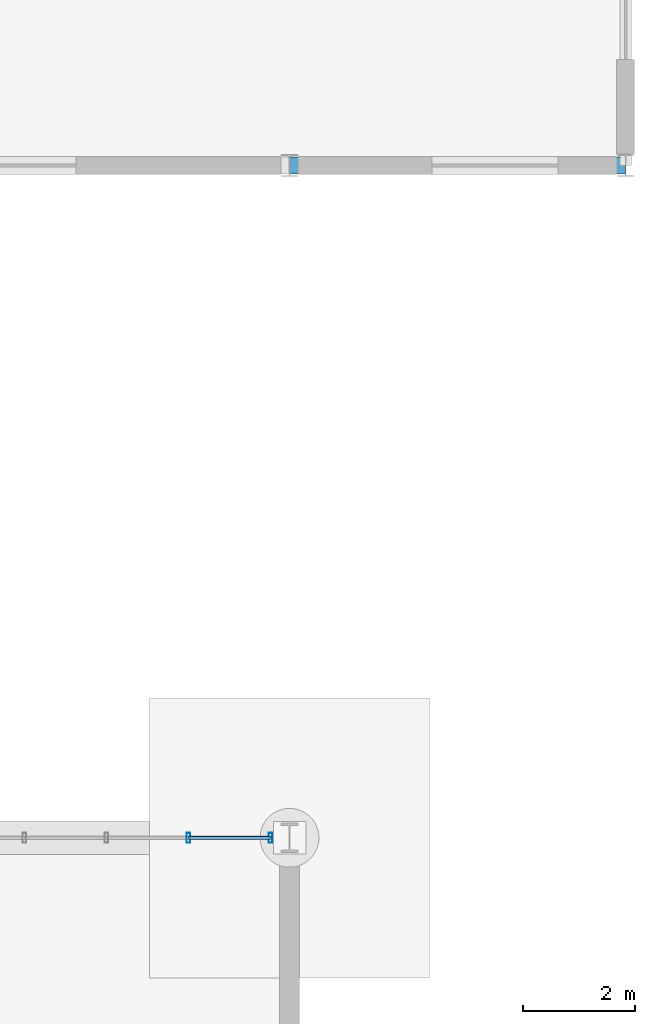
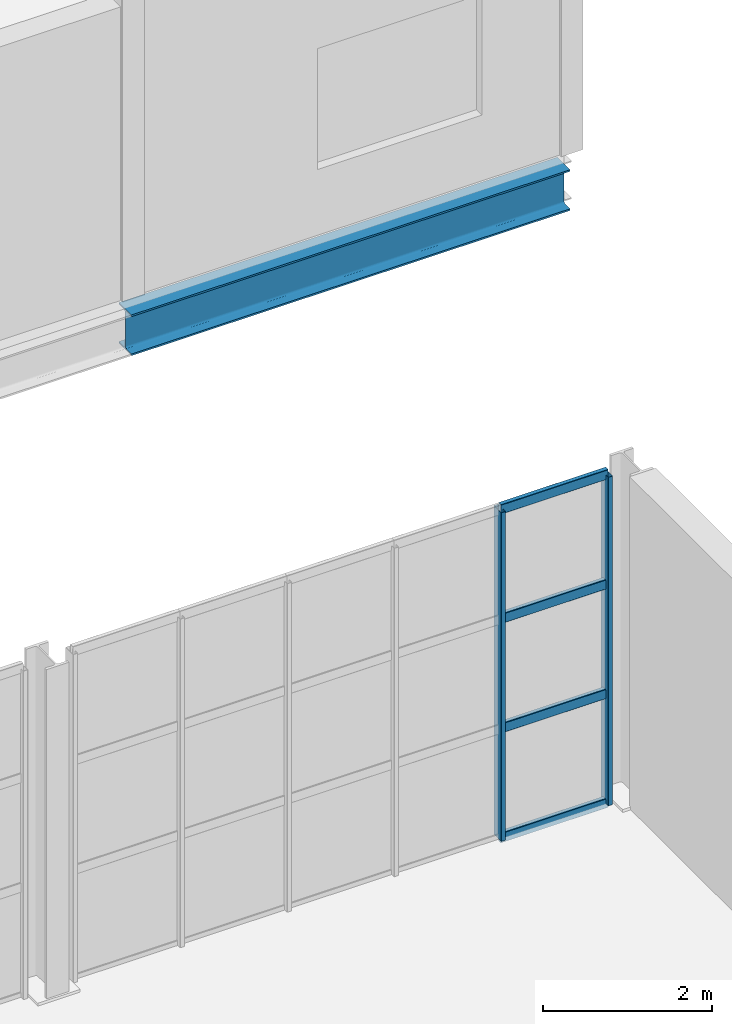
# One storey, part 61 of 101: 6 members, 1 beam, 1 element without a shape of its own.
"""IFC4 building model written with IfcOpenShell, lengths in metres."""

from ifc_helpers import new_model, si_unit, derived_unit, direction, frame, origin, origin_2d, place, context, subcontext, project, spatial, hollow_rectangle, i_section, extrude, material, material_profile, profile_set, type_object, element, aggregate, save


model = new_model("IFC4")

# Units and contexts
model_context = context("Model", 3, precision=1e-05, world=origin(), true_north=direction((0.0, 1.0)))
body_context = subcontext(model_context, "Body", "Model", "MODEL_VIEW")
ifc_project = project(units=[si_unit("LENGTHUNIT", "METRE"), si_unit("AREAUNIT", "SQUARE_METRE"), si_unit("VOLUMEUNIT", "CUBIC_METRE"), si_unit("PLANEANGLEUNIT", "RADIAN"), si_unit("MASSUNIT", "GRAM", prefix="KILO"), derived_unit("THERMALTRANSMITTANCEUNIT", [(si_unit("POWERUNIT", "WATT"), 1), (si_unit("LENGTHUNIT", "METRE"), -2), (si_unit("THERMODYNAMICTEMPERATUREUNIT", "KELVIN"), -1)])], contexts=[model_context])

# Site, building, storey
site_placement = place(None, origin())
site = spatial("IfcSite", under=ifc_project, at=site_placement, CompositionType="ELEMENT")
building_placement = place(site_placement, origin())
building = spatial("IfcBuilding", under=site, at=building_placement, Name="Keldorne Ridge Multi-Sports Centre", CompositionType="ELEMENT")
storey_placement = place(building_placement, origin())
storey = spatial("IfcBuildingStorey", under=building, at=storey_placement, Name="L00", CompositionType="ELEMENT", Elevation=0.0)

# Beam
ifc_material_1 = material(Name="Steel S355", Category="steel")
ifc_material_profile_1 = material_profile(ifc_material_1, i_section(OverallWidth=0.300048828125, OverallDepth=0.590087890625, WebThickness=0.012939453125, FlangeThickness=0.02490234375, FilletRadius=0.027099609375, at=origin_2d()), Name="HEA 600")
ifc_profile_set_1 = profile_set([ifc_material_profile_1], Name="Steel S355")
beam_type = type_object("IfcBeamType", Name="BM-B-06", PredefinedType="BEAM", material=ifc_profile_set_1)
beam_placement = place(storey_placement, frame((168.0, 66.0, -0.56494140625), z_axis=(1.0, 0.0, 0.0), x_axis=(0.0, 1.0, 0.0)))
element("IfcBeam", 1, at=beam_placement, inside=storey, type_object=beam_type, Name="L00 primary beam 13.66", PredefinedType="BEAM", context=body_context, shape_type="SweptSolid", body=[
    extrude(i_section(OverallWidth=0.300048828125, OverallDepth=0.590087890625, WebThickness=0.012939453125, FlangeThickness=0.02490234375, FilletRadius=0.027099609375, at=origin_2d()), origin(), (0.0, 0.0, 1.0), 6.0),
])

# Curtain wall, members
ifc_material_2 = material(Name="Anodized aluminium", Category="aluminium")
curtain_wall_type = type_object("IfcCurtainWallType", Name="CW-CW-07", PredefinedType="NOTDEFINED", material=ifc_material_2)
curtain_wall_placement = place(storey_placement, origin())
curtain_wall = element("IfcCurtainWall", 2, at=curtain_wall_placement, inside=storey, type_object=curtain_wall_type, Name="Lower Courts north glazing 135", PredefinedType="NOTDEFINED")
ifc_material_profile_2 = material_profile(ifc_material_2, hollow_rectangle(XDim=0.06494140625, YDim=0.179931640625, WallThickness=0.00439453125, InnerFilletRadius=0.00439453125, OuterFilletRadius=0.009033203125, at=origin_2d()), Name="ALU MULLION 180x65x4.5")
ifc_profile_set_2 = profile_set([ifc_material_profile_2], Name="Anodized aluminium")
member_type_1 = type_object("IfcMemberType", Name="MEM-ML-01", PredefinedType="MULLION", material=ifc_profile_set_2)
member_1_placement = place(storey_placement, frame((167.659912109375, 54.0, 0.0), z_axis=(0.0, 0.0, 1.0), x_axis=(1.0, 0.0, 0.0)))
member_1 = element("IfcMember", 3, at=member_1_placement, type_object=member_type_1, Name="CW-135 vertical mullion 1", PredefinedType="MULLION", context=body_context, shape_type="SweptSolid", body=[
    extrude(hollow_rectangle(XDim=0.06494140625, YDim=0.179931640625, WallThickness=0.00439453125, InnerFilletRadius=0.00439453125, OuterFilletRadius=0.009033203125, at=origin_2d()), origin(), (0.0, 0.0, 1.0), 4.75),
])
member_2_placement = place(storey_placement, frame((166.196044921875, 54.0, 0.0), z_axis=(0.0, 0.0, 1.0), x_axis=(1.0, 0.0, 0.0)))
member_2 = element("IfcMember", 4, at=member_2_placement, type_object=member_type_1, Name="CW-135 vertical mullion 2", PredefinedType="MULLION", context=body_context, shape_type="SweptSolid", body=[
    extrude(hollow_rectangle(XDim=0.06494140625, YDim=0.179931640625, WallThickness=0.00439453125, InnerFilletRadius=0.00439453125, OuterFilletRadius=0.009033203125, at=origin_2d()), origin(), (0.0, 0.0, 1.0), 4.75),
])
ifc_material_profile_3 = material_profile(ifc_material_2, hollow_rectangle(XDim=0.06494140625, YDim=0.139892578125, WallThickness=0.00439453125, InnerFilletRadius=0.00439453125, OuterFilletRadius=0.009033203125, at=origin_2d()), Name="ALU TRANSOM 140x65x4.5")
ifc_profile_set_3 = profile_set([ifc_material_profile_3], Name="Anodized aluminium")
member_type_2 = type_object("IfcMemberType", Name="MEM-TR-01", PredefinedType="USERDEFINED", material=ifc_profile_set_3)
member_3_placement = place(storey_placement, frame((167.659912109375, 54.0, 0.0), z_axis=(-1.0, 0.0, 0.0), x_axis=(0.0, -1.0, 0.0)))
member_3 = element("IfcMember", 5, at=member_3_placement, type_object=member_type_2, Name="CW-135 transom 1.1", ObjectType="TRANSOM", PredefinedType="USERDEFINED", context=body_context, shape_type="SweptSolid", body=[
    extrude(hollow_rectangle(XDim=0.06494140625, YDim=0.139892578125, WallThickness=0.00439453125, InnerFilletRadius=0.00439453125, OuterFilletRadius=0.009033203125, at=origin_2d()), origin(), (0.0, 0.0, 1.0), 1.4638671875),
])
member_4_placement = place(storey_placement, frame((167.659912109375, 54.0, 1.583251953125), z_axis=(-1.0, 0.0, 0.0), x_axis=(0.0, -1.0, 0.0)))
member_4 = element("IfcMember", 6, at=member_4_placement, type_object=member_type_2, Name="CW-135 transom 1.2", ObjectType="TRANSOM", PredefinedType="USERDEFINED", context=body_context, shape_type="SweptSolid", body=[
    extrude(hollow_rectangle(XDim=0.06494140625, YDim=0.139892578125, WallThickness=0.00439453125, InnerFilletRadius=0.00439453125, OuterFilletRadius=0.009033203125, at=origin_2d()), origin(), (0.0, 0.0, 1.0), 1.4638671875),
])
member_5_placement = place(storey_placement, frame((167.659912109375, 54.0, 3.166748046875), z_axis=(-1.0, 0.0, 0.0), x_axis=(0.0, -1.0, 0.0)))
member_5 = element("IfcMember", 7, at=member_5_placement, type_object=member_type_2, Name="CW-135 transom 1.3", ObjectType="TRANSOM", PredefinedType="USERDEFINED", context=body_context, shape_type="SweptSolid", body=[
    extrude(hollow_rectangle(XDim=0.06494140625, YDim=0.139892578125, WallThickness=0.00439453125, InnerFilletRadius=0.00439453125, OuterFilletRadius=0.009033203125, at=origin_2d()), origin(), (0.0, 0.0, 1.0), 1.4638671875),
])
member_6_placement = place(storey_placement, frame((167.659912109375, 54.0, 4.75), z_axis=(-1.0, 0.0, 0.0), x_axis=(0.0, -1.0, 0.0)))
member_6 = element("IfcMember", 8, at=member_6_placement, type_object=member_type_2, Name="CW-135 transom 1.4", ObjectType="TRANSOM", PredefinedType="USERDEFINED", context=body_context, shape_type="SweptSolid", body=[
    extrude(hollow_rectangle(XDim=0.06494140625, YDim=0.139892578125, WallThickness=0.00439453125, InnerFilletRadius=0.00439453125, OuterFilletRadius=0.009033203125, at=origin_2d()), origin(), (0.0, 0.0, 1.0), 1.4638671875),
])
aggregate(curtain_wall, [member_1, member_2, member_3, member_4, member_5, member_6])

save(model, "model.ifc")
